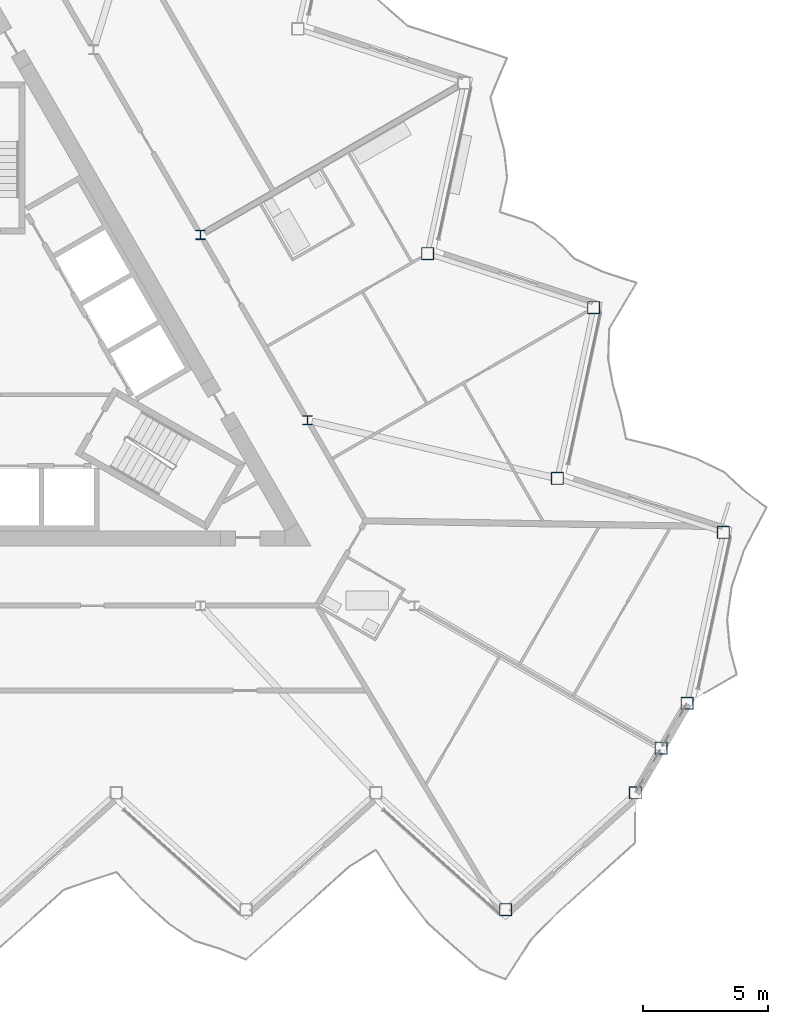
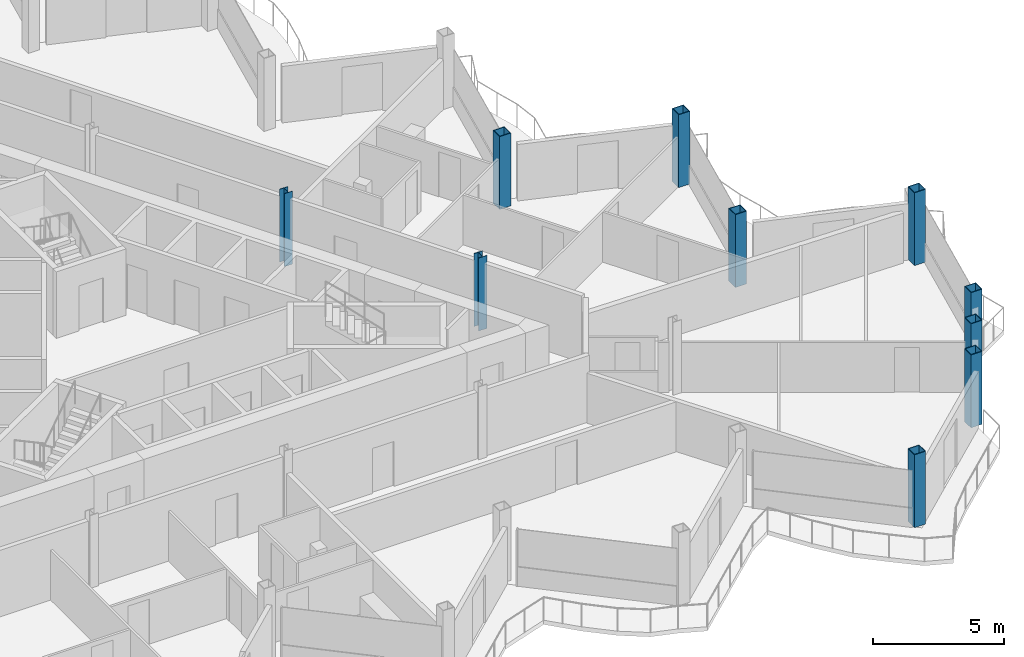
# One storey, part 2 of 26: 10 columns.
"""IFC4 building model written with IfcOpenShell, lengths in metres."""

from ifc_helpers import new_model, si_unit, direction, frame, origin, origin_2d, place, context, subcontext, project, spatial, hollow_rectangle, i_section, extrude, material, material_profile, profile_set, type_object, element, save


model = new_model("IFC4")

# Units and contexts
model_context = context("Model", 3, precision=1e-05, world=origin(), true_north=direction((0.0, 1.0)))
body_context = subcontext(model_context, "Body", "Model", "MODEL_VIEW")
ifc_project = project(units=[si_unit("LENGTHUNIT", "METRE"), si_unit("AREAUNIT", "SQUARE_METRE"), si_unit("VOLUMEUNIT", "CUBIC_METRE"), si_unit("PLANEANGLEUNIT", "RADIAN"), si_unit("MASSUNIT", "GRAM", prefix="KILO")], contexts=[model_context])

# Site, building, storey
site_placement = place(None, origin())
site = spatial("IfcSite", under=ifc_project, at=site_placement, CompositionType="ELEMENT")
building_placement = place(site_placement, origin())
building = spatial("IfcBuilding", under=site, at=building_placement, Name="Cormorant Prow Tower", CompositionType="ELEMENT")
storey_placement = place(building_placement, frame((0.0, 0.0, 388.199951171875)))
storey = spatial("IfcBuildingStorey", under=building, at=storey_placement, Name="L88", CompositionType="ELEMENT", Elevation=388.199951171875)

# Columns
ifc_material_1 = material(Name="Structural steel ASTM A572 Gr 50", Category="steel")
ifc_material_profile_1 = material_profile(ifc_material_1, hollow_rectangle(XDim=0.5, YDim=0.5, WallThickness=0.030029296875, at=origin_2d()), Name="Box 500x500x30")
ifc_profile_set_1 = profile_set([ifc_material_profile_1], Name="Structural steel ASTM A572 Gr 50")
column_type_1 = type_object("IfcColumnType", Name="Perimeter box column 500x500x30", PredefinedType="COLUMN", material=ifc_profile_set_1)
for number, where, z_axis, x_axis, name in (
    (1, (20.800048828125, -22.087890625, 0.0), (0.0, 0.0, 1.0), (1.0, 0.0, 0.0), "Perimeter column C7 at S09 L88"),
    (2, (26.0, -17.40576171875, 0.0), (0.0, 0.0, 1.0), (1.0, 0.0, 0.0), "Perimeter column C7 at ESE00 L88"),
    (3, (27.036865234375, -15.60986328125, 0.0), (0.0, 0.0, 1.0), (1.0, 0.0, 0.0), "Perimeter column C7 at ESE01 L88"),
    (4, (28.07373046875, -13.813720703125, 0.0), (0.0, 0.0, 1.0), (1.0, 0.0, 0.0), "Perimeter column C7 at ENE00 L88"),
    (5, (29.528564453125, -6.969482421875, 0.0), (0.0, 0.0, 1.0), (1.0, 0.0, 0.0), "Perimeter column C7 at ENE01 L88"),
    (6, (22.873779296875, -4.80712890625, 0.0), (0.0, 0.0, 1.0), (1.0, 0.0, 0.0), "Perimeter column C7 at ENE02 L88"),
    (7, (24.32861328125, 2.037353515625, 0.0), (0.0, 0.0, 1.0), (1.0, 0.0, 0.0), "Perimeter column C7 at ENE03 L88"),
    (8, (17.673828125, 4.199462890625, 0.0), (0.0, 0.0, 1.0), (1.0, 0.0, 0.0), "Perimeter column C7 at ENE04 L88"),
):
    element("IfcColumn", number, at=place(storey_placement, frame(where, z_axis=z_axis, x_axis=x_axis)), inside=storey, type_object=column_type_1, Name=name, PredefinedType="COLUMN", context=body_context, shape_type="SweptSolid", body=[
        extrude(hollow_rectangle(XDim=0.5, YDim=0.5, WallThickness=0.030029296875, at=origin_2d()), origin(), (0.0, 0.0, 1.0), 3.400146484375),
    ])
ifc_material_2 = material(Name="Structural steel ASTM A992 Gr 50", Category="steel")
ifc_material_profile_2 = material_profile(ifc_material_2, i_section(OverallWidth=0.3740234375, OverallDepth=0.372314453125, WebThickness=0.016357421875, FlangeThickness=0.026123046875, at=origin_2d()), Name="W14x132")
ifc_profile_set_2 = profile_set([ifc_material_profile_2], Name="Structural steel ASTM A992 Gr 50")
column_type_2 = type_object("IfcColumnType", Name="Ring column W14x132", PredefinedType="COLUMN", material=ifc_profile_set_2)
for number, where, z_axis, x_axis, name in (
    (9, (12.86767578125, -2.476318359375, 0.0), (0.0, 0.0, 1.0), (1.0, 0.0, 0.0), "Ring column 10 L88"),
    (10, (8.578369140625, 4.952880859375, 0.0), (0.0, 0.0, 1.0), (1.0, 0.0, 0.0), "Ring column 11 L88"),
):
    element("IfcColumn", number, at=place(storey_placement, frame(where, z_axis=z_axis, x_axis=x_axis)), inside=storey, type_object=column_type_2, Name=name, PredefinedType="COLUMN", context=body_context, shape_type="SweptSolid", body=[
        extrude(i_section(OverallWidth=0.3740234375, OverallDepth=0.372314453125, WebThickness=0.016357421875, FlangeThickness=0.026123046875, at=origin_2d()), origin(), (0.0, 0.0, 1.0), 3.400146484375),
    ])

save(model, "model.ifc")
